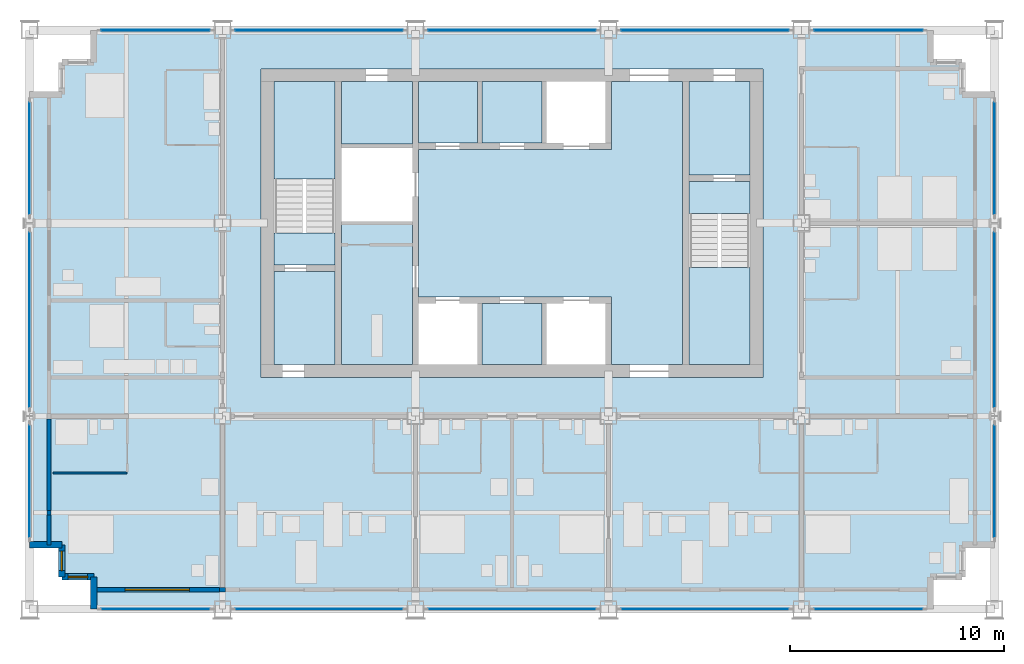
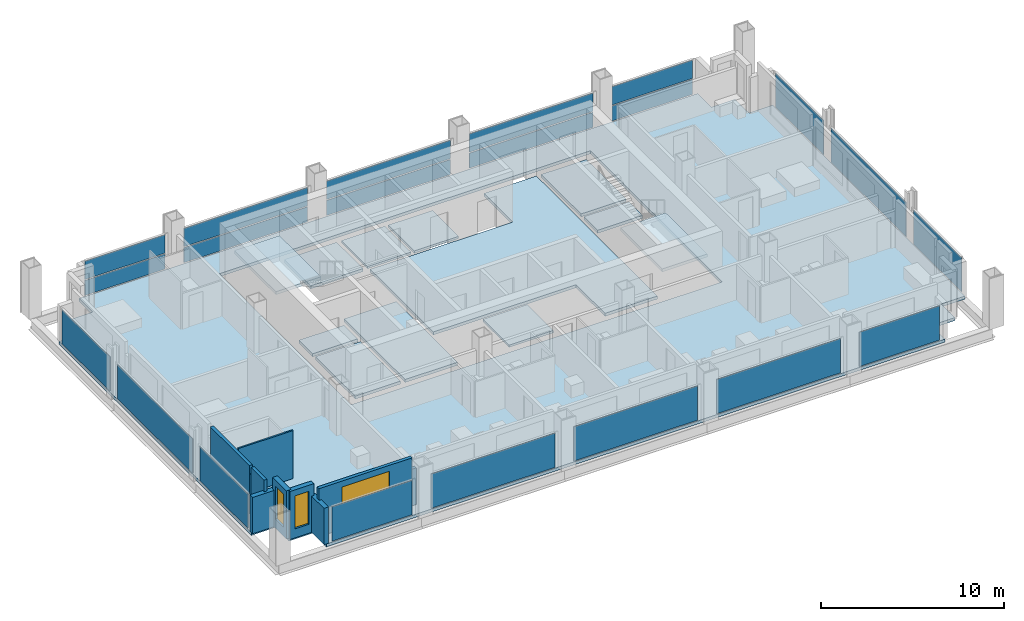
# One storey, part 6 of 13: 21 plates, 13 slabs, 10 walls, 3 windows, 3 openings, 18 elements without a shape of their own.
"""IFC4 building model written with IfcOpenShell, lengths in metres."""

from ifc_helpers import new_model, si_unit, direction, frame, frame_2d, origin, origin_2d, place, context, subcontext, project, spatial, polyline, rectangle, outline, extrude, material, layer, layer_set, type_object, element, fill, aggregate, save


model = new_model("IFC4")

# Units and contexts
model_context = context("Model", 3, precision=1e-05, world=origin(), true_north=direction((0.0, 1.0)))
body_context = subcontext(model_context, "Body", "Model", "MODEL_VIEW")
ifc_project = project(units=[si_unit("LENGTHUNIT", "METRE"), si_unit("AREAUNIT", "SQUARE_METRE"), si_unit("VOLUMEUNIT", "CUBIC_METRE"), si_unit("PLANEANGLEUNIT", "RADIAN"), si_unit("MASSUNIT", "GRAM", prefix="KILO")], contexts=[model_context])

# Site, building, storey
site_placement = place(None, origin())
site = spatial("IfcSite", under=ifc_project, at=site_placement, CompositionType="ELEMENT")
building_placement = place(site_placement, origin())
building = spatial("IfcBuilding", under=site, at=building_placement, Name="Loomwork Tower", CompositionType="ELEMENT")
storey_placement = place(building_placement, frame((0.0, 0.0, 214.800048828125)))
storey = spatial("IfcBuildingStorey", under=building, at=storey_placement, Name="L59", CompositionType="ELEMENT", Elevation=214.800048828125)

# Slabs
ifc_material_1 = material(Name="Concrete 5000 psi (34 MPa) on composite metal deck", Category="concrete")
ifc_layer_1 = layer(ifc_material_1, 0.199951171875)
ifc_layer_set_1 = layer_set([ifc_layer_1], Name="Floor slab 200")
slab_type_1 = type_object("IfcSlabType", Name="Floor slab 200", PredefinedType="FLOOR", material=ifc_layer_set_1)
slab_1_placement = place(storey_placement, frame((0.0, 0.0, -0.199951171875)))
element("IfcSlab", 1, at=slab_1_placement, inside=storey, type_object=slab_type_1, Name="Floor slab L59", PredefinedType="FLOOR", context=body_context, shape_type="SweptSolid", body=[
    extrude(outline(polyline([(3.0, 1.5), (1.5, 1.5), (1.5, 3.0), (0.0, 3.0), (0.0, 24.0), (1.5, 24.0), (1.5, 25.5), (3.0, 25.5), (3.0, 27.0), (42.0, 27.0), (42.0, 25.5), (43.5, 25.5), (43.5, 24.0), (45.0, 24.0), (45.0, 3.0), (43.5, 3.0), (43.5, 1.5), (42.0, 1.5), (42.0, 0.0), (3.0, 0.0), (3.0, 1.5)]), holes=[polyline([(10.800048828125, 11.39990234375), (10.800048828125, 11.39990234375), (10.800048828125, 10.800048828125), (34.199951171875, 10.800048828125), (34.199951171875, 11.39990234375), (34.199951171875, 11.39990234375), (34.199951171875, 24.60009765625), (34.199951171875, 25.199951171875), (10.800048828125, 25.199951171875), (10.800048828125, 24.60009765625), (10.800048828125, 11.39990234375)])]), origin(), (0.0, 0.0, 1.0), 0.199951171875),
])
slab_2_placement = place(storey_placement, frame((0.0, 0.0, -0.199951171875)))
element("IfcSlab", 2, at=slab_2_placement, inside=storey, type_object=slab_type_1, Name="Floor slab L59", PredefinedType="FLOOR", context=body_context, shape_type="SweptSolid", body=[
    extrude(outline(polyline([(30.449951171875, 24.60009765625), (30.449951171875, 11.39990234375), (27.14990234375, 11.39990234375), (27.14990234375, 14.25), (27.14990234375, 14.550048828125), (18.14990234375, 14.550048828125), (18.14990234375, 21.449951171875), (27.14990234375, 21.449951171875), (27.14990234375, 21.75), (27.14990234375, 24.60009765625), (30.449951171875, 24.60009765625)])), origin(), (0.0, 0.0, 1.0), 0.199951171875),
])
slab_3_placement = place(storey_placement, frame((0.0, 0.0, -0.199951171875)))
element("IfcSlab", 3, at=slab_3_placement, inside=storey, type_object=slab_type_1, Name="Floor slab L59", PredefinedType="FLOOR", context=body_context, shape_type="SweptSolid", body=[
    extrude(outline(polyline([(14.550048828125, 11.39990234375), (14.550048828125, 18.074951171875), (17.85009765625, 18.074951171875), (17.85009765625, 11.39990234375), (14.550048828125, 11.39990234375)])), origin(), (0.0, 0.0, 1.0), 0.199951171875),
])
slab_4_placement = place(storey_placement, frame((0.0, 0.0, -0.199951171875)))
element("IfcSlab", 4, at=slab_4_placement, inside=storey, type_object=slab_type_1, Name="Floor slab L59", PredefinedType="FLOOR", context=body_context, shape_type="SweptSolid", body=[
    extrude(outline(polyline([(33.60009765625, 20.25), (30.75, 20.25), (30.75, 24.60009765625), (33.60009765625, 24.60009765625), (33.60009765625, 20.25)])), origin(), (0.0, 0.0, 1.0), 0.199951171875),
])
slab_5_placement = place(storey_placement, frame((0.0, 0.0, -0.199951171875)))
element("IfcSlab", 5, at=slab_5_placement, inside=storey, type_object=slab_type_1, Name="Floor slab L59", PredefinedType="FLOOR", context=body_context, shape_type="SweptSolid", body=[
    extrude(outline(polyline([(14.25, 15.75), (14.25, 11.39990234375), (11.39990234375, 11.39990234375), (11.39990234375, 15.75), (14.25, 15.75)])), origin(), (0.0, 0.0, 1.0), 0.199951171875),
])
slab_6_placement = place(storey_placement, frame((0.0, 0.0, -0.199951171875)))
element("IfcSlab", 6, at=slab_6_placement, inside=storey, type_object=slab_type_1, Name="Floor slab L59", PredefinedType="FLOOR", context=body_context, shape_type="SweptSolid", body=[
    extrude(outline(polyline([(14.550048828125, 21.699951171875), (14.550048828125, 24.60009765625), (17.85009765625, 24.60009765625), (17.85009765625, 21.699951171875), (14.550048828125, 21.699951171875)])), origin(), (0.0, 0.0, 1.0), 0.199951171875),
])

# Curtain wall, plate
ifc_material_2 = material(Name="Aluminium curtain wall frame", Category="aluminium")
curtain_wall_type_1 = type_object("IfcCurtainWallType", Name="Outer skin glazing hotel", PredefinedType="NOTDEFINED", material=ifc_material_2)
curtain_wall_1_placement = place(storey_placement, origin())
curtain_wall_1 = element("IfcCurtainWall", 7, at=curtain_wall_1_placement, inside=storey, type_object=curtain_wall_type_1, Name="Outer skin glazing hotel cw/S-0", PredefinedType="NOTDEFINED")
ifc_material_3 = material(Name="Clear laminated glass", Category="glass")
ifc_layer_2 = layer(ifc_material_3, 0.02392578125)
ifc_layer_set_2 = layer_set([ifc_layer_2], Name="Outer skin glazing hotel panel")
plate_type_1 = type_object("IfcPlateType", Name="Outer skin glazing hotel panel", PredefinedType="CURTAIN_PANEL", material=ifc_layer_set_2)
plate_1_placement = place(storey_placement, frame((5.875, 0.0, 0.06494140625), z_axis=(0.0, 0.0, 1.0), x_axis=(1.0, 0.0, 0.0)))
plate_1 = element("IfcPlate", 8, at=plate_1_placement, type_object=plate_type_1, Name="CW1 panel 1.1", PredefinedType="CURTAIN_PANEL", context=body_context, shape_type="SweptSolid", body=[
    extrude(rectangle(XDim=5.050048828125, YDim=0.02392578125, at=origin_2d()), origin(), (0.0, 0.0, 1.0), 2.290283203125),
])
aggregate(curtain_wall_1, [plate_1])

curtain_wall_2_placement = place(storey_placement, origin())
curtain_wall_2 = element("IfcCurtainWall", 9, at=curtain_wall_2_placement, inside=storey, type_object=curtain_wall_type_1, Name="Outer skin glazing hotel cw/S-9", PredefinedType="NOTDEFINED")
plate_2_placement = place(storey_placement, frame((13.5, 0.0, 0.06494140625), z_axis=(0.0, 0.0, 1.0), x_axis=(1.0, 0.0, 0.0)))
plate_2 = element("IfcPlate", 10, at=plate_2_placement, type_object=plate_type_1, Name="CW1 panel 1.1", PredefinedType="CURTAIN_PANEL", context=body_context, shape_type="SweptSolid", body=[
    extrude(rectangle(XDim=7.800048828125, YDim=0.02392578125, at=origin_2d()), origin(), (0.0, 0.0, 1.0), 2.290283203125),
])
aggregate(curtain_wall_2, [plate_2])

curtain_wall_3_placement = place(storey_placement, origin())
curtain_wall_3 = element("IfcCurtainWall", 11, at=curtain_wall_3_placement, inside=storey, type_object=curtain_wall_type_1, Name="Outer skin glazing hotel cw/S-18", PredefinedType="NOTDEFINED")
plate_3_placement = place(storey_placement, frame((22.5, 0.0, 0.06494140625), z_axis=(0.0, 0.0, 1.0), x_axis=(1.0, 0.0, 0.0)))
plate_3 = element("IfcPlate", 12, at=plate_3_placement, type_object=plate_type_1, Name="CW1 panel 1.1", PredefinedType="CURTAIN_PANEL", context=body_context, shape_type="SweptSolid", body=[
    extrude(rectangle(XDim=7.800048828125, YDim=0.02392578125, at=origin_2d()), origin(), (0.0, 0.0, 1.0), 2.290283203125),
])
aggregate(curtain_wall_3, [plate_3])

curtain_wall_4_placement = place(storey_placement, origin())
curtain_wall_4 = element("IfcCurtainWall", 13, at=curtain_wall_4_placement, inside=storey, type_object=curtain_wall_type_1, Name="Outer skin glazing hotel cw/S-27", PredefinedType="NOTDEFINED")
plate_4_placement = place(storey_placement, frame((31.5, 0.0, 0.06494140625), z_axis=(0.0, 0.0, 1.0), x_axis=(1.0, 0.0, 0.0)))
plate_4 = element("IfcPlate", 14, at=plate_4_placement, type_object=plate_type_1, Name="CW1 panel 1.1", PredefinedType="CURTAIN_PANEL", context=body_context, shape_type="SweptSolid", body=[
    extrude(rectangle(XDim=7.800048828125, YDim=0.02392578125, at=origin_2d()), origin(), (0.0, 0.0, 1.0), 2.290283203125),
])
aggregate(curtain_wall_4, [plate_4])

curtain_wall_5_placement = place(storey_placement, origin())
curtain_wall_5 = element("IfcCurtainWall", 15, at=curtain_wall_5_placement, inside=storey, type_object=curtain_wall_type_1, Name="Outer skin glazing hotel cw/S-36", PredefinedType="NOTDEFINED")
plate_5_placement = place(storey_placement, frame((39.125, 0.0, 0.06494140625), z_axis=(0.0, 0.0, 1.0), x_axis=(1.0, 0.0, 0.0)))
plate_5 = element("IfcPlate", 16, at=plate_5_placement, type_object=plate_type_1, Name="CW1 panel 1.1", PredefinedType="CURTAIN_PANEL", context=body_context, shape_type="SweptSolid", body=[
    extrude(rectangle(XDim=5.050048828125, YDim=0.02392578125, at=origin_2d()), origin(), (0.0, 0.0, 1.0), 2.290283203125),
])
aggregate(curtain_wall_5, [plate_5])

curtain_wall_6_placement = place(storey_placement, origin())
curtain_wall_6 = element("IfcCurtainWall", 17, at=curtain_wall_6_placement, inside=storey, type_object=curtain_wall_type_1, Name="Outer skin glazing hotel cw/W-0", PredefinedType="NOTDEFINED")
plate_6_placement = place(storey_placement, frame((0.0, 5.96826171875, 0.06494140625), z_axis=(0.0, 0.0, 1.0), x_axis=(0.0, -1.0, 0.0)))
plate_6 = element("IfcPlate", 18, at=plate_6_placement, type_object=plate_type_1, Name="CW1 panel 1.1", PredefinedType="CURTAIN_PANEL", context=body_context, shape_type="SweptSolid", body=[
    extrude(rectangle(XDim=5.236572265625, YDim=0.02392578125, at=origin_2d()), origin(), (0.0, 0.0, 1.0), 2.290283203125),
])
aggregate(curtain_wall_6, [plate_6])

curtain_wall_7_placement = place(storey_placement, origin())
curtain_wall_7 = element("IfcCurtainWall", 19, at=curtain_wall_7_placement, inside=storey, type_object=curtain_wall_type_1, Name="Outer skin glazing hotel cw/W-9", PredefinedType="NOTDEFINED")
plate_7_placement = place(storey_placement, frame((0.0, 13.5, 0.06494140625), z_axis=(0.0, 0.0, 1.0), x_axis=(0.0, -1.0, 0.0)))
plate_7 = element("IfcPlate", 20, at=plate_7_placement, type_object=plate_type_1, Name="CW1 panel 1.1", PredefinedType="CURTAIN_PANEL", context=body_context, shape_type="SweptSolid", body=[
    extrude(rectangle(XDim=8.173095703125, YDim=0.02392578125, at=origin_2d()), origin(), (0.0, 0.0, 1.0), 2.290283203125),
])
aggregate(curtain_wall_7, [plate_7])

curtain_wall_8_placement = place(storey_placement, origin())
curtain_wall_8 = element("IfcCurtainWall", 21, at=curtain_wall_8_placement, inside=storey, type_object=curtain_wall_type_1, Name="Outer skin glazing hotel cw/W-18", PredefinedType="NOTDEFINED")
plate_8_placement = place(storey_placement, frame((0.0, 21.03173828125, 0.06494140625), z_axis=(0.0, 0.0, 1.0), x_axis=(0.0, -1.0, 0.0)))
plate_8 = element("IfcPlate", 22, at=plate_8_placement, type_object=plate_type_1, Name="CW1 panel 1.1", PredefinedType="CURTAIN_PANEL", context=body_context, shape_type="SweptSolid", body=[
    extrude(rectangle(XDim=5.236572265625, YDim=0.02392578125, at=origin_2d()), origin(), (0.0, 0.0, 1.0), 2.290283203125),
])
aggregate(curtain_wall_8, [plate_8])

curtain_wall_9_placement = place(storey_placement, origin())
curtain_wall_9 = element("IfcCurtainWall", 23, at=curtain_wall_9_placement, inside=storey, type_object=curtain_wall_type_1, Name="Outer skin glazing hotel cw/E-0", PredefinedType="NOTDEFINED")
plate_9_placement = place(storey_placement, frame((45.0, 5.96826171875, 0.06494140625), z_axis=(0.0, 0.0, 1.0), x_axis=(0.0, 1.0, 0.0)))
plate_9 = element("IfcPlate", 24, at=plate_9_placement, type_object=plate_type_1, Name="CW1 panel 1.1", PredefinedType="CURTAIN_PANEL", context=body_context, shape_type="SweptSolid", body=[
    extrude(rectangle(XDim=5.236572265625, YDim=0.02392578125, at=origin_2d()), origin(), (0.0, 0.0, 1.0), 2.290283203125),
])
aggregate(curtain_wall_9, [plate_9])

curtain_wall_10_placement = place(storey_placement, origin())
curtain_wall_10 = element("IfcCurtainWall", 25, at=curtain_wall_10_placement, inside=storey, type_object=curtain_wall_type_1, Name="Outer skin glazing hotel cw/E-9", PredefinedType="NOTDEFINED")
plate_10_placement = place(storey_placement, frame((45.0, 13.5, 0.06494140625), z_axis=(0.0, 0.0, 1.0), x_axis=(0.0, 1.0, 0.0)))
plate_10 = element("IfcPlate", 26, at=plate_10_placement, type_object=plate_type_1, Name="CW1 panel 1.1", PredefinedType="CURTAIN_PANEL", context=body_context, shape_type="SweptSolid", body=[
    extrude(rectangle(XDim=8.173095703125, YDim=0.02392578125, at=origin_2d()), origin(), (0.0, 0.0, 1.0), 2.290283203125),
])
aggregate(curtain_wall_10, [plate_10])

curtain_wall_11_placement = place(storey_placement, origin())
curtain_wall_11 = element("IfcCurtainWall", 27, at=curtain_wall_11_placement, inside=storey, type_object=curtain_wall_type_1, Name="Outer skin glazing hotel cw/E-18", PredefinedType="NOTDEFINED")
plate_11_placement = place(storey_placement, frame((45.0, 21.03173828125, 0.06494140625), z_axis=(0.0, 0.0, 1.0), x_axis=(0.0, 1.0, 0.0)))
plate_11 = element("IfcPlate", 28, at=plate_11_placement, type_object=plate_type_1, Name="CW1 panel 1.1", PredefinedType="CURTAIN_PANEL", context=body_context, shape_type="SweptSolid", body=[
    extrude(rectangle(XDim=5.236572265625, YDim=0.02392578125, at=origin_2d()), origin(), (0.0, 0.0, 1.0), 2.290283203125),
])
aggregate(curtain_wall_11, [plate_11])

# Slabs
ifc_material_4 = material(Name="Concrete 5000 psi (34 MPa) on composite metal deck", Category="concrete")
ifc_layer_3 = layer(ifc_material_4, 0.14990234375)
ifc_layer_set_3 = layer_set([ifc_layer_3], Name="Shaft infill floor 150")
slab_type_2 = type_object("IfcSlabType", Name="Shaft infill floor 150", PredefinedType="FLOOR", material=ifc_layer_set_3)
slab_7_placement = place(storey_placement, frame((0.0, 0.0, -0.150146484375)))
element("IfcSlab", 29, at=slab_7_placement, inside=storey, type_object=slab_type_2, Name="Shaft infill floor LS1 L59", PredefinedType="FLOOR", context=body_context, shape_type="SweptSolid", body=[
    extrude(outline(polyline([(18.14990234375, 21.75), (20.89990234375, 21.75), (20.89990234375, 24.60009765625), (18.14990234375, 24.60009765625), (18.14990234375, 21.75)])), origin(), (0.0, 0.0, 1.0), 0.150146484375),
])
slab_8_placement = place(storey_placement, frame((0.0, 0.0, -0.150146484375)))
element("IfcSlab", 30, at=slab_8_placement, inside=storey, type_object=slab_type_2, Name="Shaft infill floor LS2 L59", PredefinedType="FLOOR", context=body_context, shape_type="SweptSolid", body=[
    extrude(outline(polyline([(21.10009765625, 21.75), (23.89990234375, 21.75), (23.89990234375, 24.60009765625), (21.10009765625, 24.60009765625), (21.10009765625, 21.75)])), origin(), (0.0, 0.0, 1.0), 0.150146484375),
])
slab_9_placement = place(storey_placement, frame((0.0, 0.0, -0.150146484375)))
element("IfcSlab", 31, at=slab_9_placement, inside=storey, type_object=slab_type_2, Name="Shaft infill floor S2 L59", PredefinedType="FLOOR", context=body_context, shape_type="SweptSolid", body=[
    extrude(outline(polyline([(21.10009765625, 11.39990234375), (23.89990234375, 11.39990234375), (23.89990234375, 14.25), (21.10009765625, 14.25), (21.10009765625, 11.39990234375)])), origin(), (0.0, 0.0, 1.0), 0.150146484375),
])

# Curtain wall, plates
ifc_material_5 = material(Name="Aluminium curtain wall frame", Category="aluminium")
curtain_wall_type_2 = type_object("IfcCurtainWallType", Name="Single skin glazing corridor", PredefinedType="NOTDEFINED", material=ifc_material_5)
curtain_wall_12_placement = place(storey_placement, origin())
curtain_wall_12 = element("IfcCurtainWall", 32, at=curtain_wall_12_placement, inside=storey, type_object=curtain_wall_type_2, Name="Single skin glazing corridor cw/N-0", PredefinedType="NOTDEFINED")
ifc_material_6 = material(Name="Clear insulated glass", Category="glass")
ifc_layer_4 = layer(ifc_material_6, 0.031982421875)
ifc_layer_set_4 = layer_set([ifc_layer_4], Name="Single skin glazing corridor panel")
plate_type_2 = type_object("IfcPlateType", Name="Single skin glazing corridor panel", PredefinedType="CURTAIN_PANEL", material=ifc_layer_set_4)
plate_12_placement = place(storey_placement, frame((5.875, 27.0, 0.06494140625), z_axis=(0.0, 0.0, 1.0), x_axis=(-1.0, 0.0, 0.0)))
plate_12 = element("IfcPlate", 33, at=plate_12_placement, type_object=plate_type_2, Name="CW3 panel 1.1", PredefinedType="CURTAIN_PANEL", context=body_context, shape_type="SweptSolid", body=[
    extrude(rectangle(XDim=5.050048828125, YDim=0.031982421875, at=origin_2d()), origin(), (0.0, 0.0, 1.0), 1.00244140625),
])
plate_13_placement = place(storey_placement, frame((5.875, 27.0, 1.132568359375), z_axis=(0.0, 0.0, 1.0), x_axis=(-1.0, 0.0, 0.0)))
plate_13 = element("IfcPlate", 34, at=plate_13_placement, type_object=plate_type_2, Name="CW3 panel 1.2", PredefinedType="CURTAIN_PANEL", context=body_context, shape_type="SweptSolid", body=[
    extrude(rectangle(XDim=5.050048828125, YDim=0.031982421875, at=origin_2d()), origin(), (0.0, 0.0, 1.0), 1.22265625),
])
aggregate(curtain_wall_12, [plate_12, plate_13])

curtain_wall_13_placement = place(storey_placement, origin())
curtain_wall_13 = element("IfcCurtainWall", 35, at=curtain_wall_13_placement, inside=storey, type_object=curtain_wall_type_2, Name="Single skin glazing corridor cw/N-9", PredefinedType="NOTDEFINED")
plate_14_placement = place(storey_placement, frame((13.5, 27.0, 0.06494140625), z_axis=(0.0, 0.0, 1.0), x_axis=(-1.0, 0.0, 0.0)))
plate_14 = element("IfcPlate", 36, at=plate_14_placement, type_object=plate_type_2, Name="CW3 panel 1.1", PredefinedType="CURTAIN_PANEL", context=body_context, shape_type="SweptSolid", body=[
    extrude(rectangle(XDim=7.800048828125, YDim=0.031982421875, at=origin_2d()), origin(), (0.0, 0.0, 1.0), 1.00244140625),
])
plate_15_placement = place(storey_placement, frame((13.5, 27.0, 1.132568359375), z_axis=(0.0, 0.0, 1.0), x_axis=(-1.0, 0.0, 0.0)))
plate_15 = element("IfcPlate", 37, at=plate_15_placement, type_object=plate_type_2, Name="CW3 panel 1.2", PredefinedType="CURTAIN_PANEL", context=body_context, shape_type="SweptSolid", body=[
    extrude(rectangle(XDim=7.800048828125, YDim=0.031982421875, at=origin_2d()), origin(), (0.0, 0.0, 1.0), 1.22265625),
])
aggregate(curtain_wall_13, [plate_14, plate_15])

curtain_wall_14_placement = place(storey_placement, origin())
curtain_wall_14 = element("IfcCurtainWall", 38, at=curtain_wall_14_placement, inside=storey, type_object=curtain_wall_type_2, Name="Single skin glazing corridor cw/N-18", PredefinedType="NOTDEFINED")
plate_16_placement = place(storey_placement, frame((22.5, 27.0, 0.06494140625), z_axis=(0.0, 0.0, 1.0), x_axis=(-1.0, 0.0, 0.0)))
plate_16 = element("IfcPlate", 39, at=plate_16_placement, type_object=plate_type_2, Name="CW3 panel 1.1", PredefinedType="CURTAIN_PANEL", context=body_context, shape_type="SweptSolid", body=[
    extrude(rectangle(XDim=7.800048828125, YDim=0.031982421875, at=origin_2d()), origin(), (0.0, 0.0, 1.0), 1.00244140625),
])
plate_17_placement = place(storey_placement, frame((22.5, 27.0, 1.132568359375), z_axis=(0.0, 0.0, 1.0), x_axis=(-1.0, 0.0, 0.0)))
plate_17 = element("IfcPlate", 40, at=plate_17_placement, type_object=plate_type_2, Name="CW3 panel 1.2", PredefinedType="CURTAIN_PANEL", context=body_context, shape_type="SweptSolid", body=[
    extrude(rectangle(XDim=7.800048828125, YDim=0.031982421875, at=origin_2d()), origin(), (0.0, 0.0, 1.0), 1.22265625),
])
aggregate(curtain_wall_14, [plate_16, plate_17])

curtain_wall_15_placement = place(storey_placement, origin())
curtain_wall_15 = element("IfcCurtainWall", 41, at=curtain_wall_15_placement, inside=storey, type_object=curtain_wall_type_2, Name="Single skin glazing corridor cw/N-27", PredefinedType="NOTDEFINED")
plate_18_placement = place(storey_placement, frame((31.5, 27.0, 0.06494140625), z_axis=(0.0, 0.0, 1.0), x_axis=(-1.0, 0.0, 0.0)))
plate_18 = element("IfcPlate", 42, at=plate_18_placement, type_object=plate_type_2, Name="CW3 panel 1.1", PredefinedType="CURTAIN_PANEL", context=body_context, shape_type="SweptSolid", body=[
    extrude(rectangle(XDim=7.800048828125, YDim=0.031982421875, at=origin_2d()), origin(), (0.0, 0.0, 1.0), 1.00244140625),
])
plate_19_placement = place(storey_placement, frame((31.5, 27.0, 1.132568359375), z_axis=(0.0, 0.0, 1.0), x_axis=(-1.0, 0.0, 0.0)))
plate_19 = element("IfcPlate", 43, at=plate_19_placement, type_object=plate_type_2, Name="CW3 panel 1.2", PredefinedType="CURTAIN_PANEL", context=body_context, shape_type="SweptSolid", body=[
    extrude(rectangle(XDim=7.800048828125, YDim=0.031982421875, at=origin_2d()), origin(), (0.0, 0.0, 1.0), 1.22265625),
])
aggregate(curtain_wall_15, [plate_18, plate_19])

curtain_wall_16_placement = place(storey_placement, origin())
curtain_wall_16 = element("IfcCurtainWall", 44, at=curtain_wall_16_placement, inside=storey, type_object=curtain_wall_type_2, Name="Single skin glazing corridor cw/N-36", PredefinedType="NOTDEFINED")
plate_20_placement = place(storey_placement, frame((39.125, 27.0, 0.06494140625), z_axis=(0.0, 0.0, 1.0), x_axis=(-1.0, 0.0, 0.0)))
plate_20 = element("IfcPlate", 45, at=plate_20_placement, type_object=plate_type_2, Name="CW3 panel 1.1", PredefinedType="CURTAIN_PANEL", context=body_context, shape_type="SweptSolid", body=[
    extrude(rectangle(XDim=5.050048828125, YDim=0.031982421875, at=origin_2d()), origin(), (0.0, 0.0, 1.0), 1.00244140625),
])
plate_21_placement = place(storey_placement, frame((39.125, 27.0, 1.132568359375), z_axis=(0.0, 0.0, 1.0), x_axis=(-1.0, 0.0, 0.0)))
plate_21 = element("IfcPlate", 46, at=plate_21_placement, type_object=plate_type_2, Name="CW3 panel 1.2", PredefinedType="CURTAIN_PANEL", context=body_context, shape_type="SweptSolid", body=[
    extrude(rectangle(XDim=5.050048828125, YDim=0.031982421875, at=origin_2d()), origin(), (0.0, 0.0, 1.0), 1.22265625),
])
aggregate(curtain_wall_16, [plate_20, plate_21])

# Stair, slabs
ifc_material_7 = material(Name="Concrete 5000 psi (34 MPa) precast stair", Category="concrete")
stair_type_1 = type_object("IfcStairType", Name="Stair ST-A 20 risers 2850 wide", PredefinedType="HALF_TURN_STAIR", material=ifc_material_7)
stair_1_placement = place(storey_placement, origin())
stair_1 = element("IfcStair", 47, at=stair_1_placement, inside=storey, type_object=stair_type_1, Name="Stair A L59", PredefinedType="HALF_TURN_STAIR")
ifc_material_8 = material(Name="Concrete 5000 psi (34 MPa)", Category="concrete")
ifc_layer_5 = layer(ifc_material_8, 0.199951171875)
ifc_layer_set_5 = layer_set([ifc_layer_5], Name="Stair landing 200")
slab_type_3 = type_object("IfcSlabType", Name="Stair landing 200", PredefinedType="LANDING", material=ifc_layer_set_5)
slab_10_placement = place(storey_placement, frame((0.0, 0.0, -0.199951171875)))
slab_10 = element("IfcSlab", 48, at=slab_10_placement, type_object=slab_type_3, Name="ST-A landing 1", PredefinedType="LANDING", context=body_context, shape_type="SweptSolid", body=[
    extrude(outline(polyline([(11.39990234375, 16.050048828125), (14.25, 16.050048828125), (14.25, 17.550048828125), (11.39990234375, 17.550048828125), (11.39990234375, 16.050048828125)])), origin(), (0.0, 0.0, 1.0), 0.199951171875),
])
slab_11_placement = place(storey_placement, frame((0.0, 0.0, 1.5)))
slab_11 = element("IfcSlab", 49, at=slab_11_placement, type_object=slab_type_3, Name="ST-A landing 2", PredefinedType="LANDING", context=body_context, shape_type="SweptSolid", body=[
    extrude(outline(polyline([(11.39990234375, 20.070068359375), (14.25, 20.070068359375), (14.25, 24.60009765625), (11.39990234375, 24.60009765625), (11.39990234375, 20.070068359375)])), origin(), (0.0, 0.0, 1.0), 0.199951171875),
])
aggregate(stair_1, [slab_10, slab_11])

ifc_material_9 = material(Name="Concrete 5000 psi (34 MPa) precast stair", Category="concrete")
stair_type_2 = type_object("IfcStairType", Name="Stair ST-B 20 risers 2850 wide", PredefinedType="HALF_TURN_STAIR", material=ifc_material_9)
stair_2_placement = place(storey_placement, origin())
stair_2 = element("IfcStair", 50, at=stair_2_placement, inside=storey, type_object=stair_type_2, Name="Stair B L59", PredefinedType="HALF_TURN_STAIR")
slab_12_placement = place(storey_placement, frame((0.0, 0.0, -0.199951171875)))
slab_12 = element("IfcSlab", 51, at=slab_12_placement, type_object=slab_type_3, Name="ST-B landing 1", PredefinedType="LANDING", context=body_context, shape_type="SweptSolid", body=[
    extrude(outline(polyline([(30.75, 18.449951171875), (33.60009765625, 18.449951171875), (33.60009765625, 19.949951171875), (30.75, 19.949951171875), (30.75, 18.449951171875)])), origin(), (0.0, 0.0, 1.0), 0.199951171875),
])
slab_13_placement = place(storey_placement, frame((0.0, 0.0, 1.5)))
slab_13 = element("IfcSlab", 52, at=slab_13_placement, type_object=slab_type_3, Name="ST-B landing 2", PredefinedType="LANDING", context=body_context, shape_type="SweptSolid", body=[
    extrude(outline(polyline([(30.75, 11.39990234375), (33.60009765625, 11.39990234375), (33.60009765625, 15.929931640625), (30.75, 15.929931640625), (30.75, 11.39990234375)])), origin(), (0.0, 0.0, 1.0), 0.199951171875),
])
aggregate(stair_2, [slab_12, slab_13])

# Wall
ifc_material_10 = material(Name="Cement board on steel studs", Category="steel")
ifc_layer_6 = layer(ifc_material_10, 0.10009765625)
ifc_layer_set_6 = layer_set([ifc_layer_6], Name="En-suite partition 100")
wall_type_1 = type_object("IfcWallType", Name="En-suite partition 100", PredefinedType="PARTITIONING", material=ifc_layer_set_6)
wall_1_placement = place(storey_placement, frame((1.10009765625, 6.35009765625, 0.0), z_axis=(0.0, 0.0, 1.0), x_axis=(1.0, 0.0, 0.0)))
element("IfcWall", 53, at=wall_1_placement, inside=storey, type_object=wall_type_1, Name="En-suite wall L59 room 1", PredefinedType="PARTITIONING", context=body_context, shape_type="SweptSolid", body=[
    extrude(rectangle(XDim=3.449951171875, YDim=0.10009765625, at=frame_2d((1.72509765625, 0.0))), origin(), (0.0, 0.0, 1.0), 3.199951171875),
])

# Wall, opening, window
ifc_material_11 = material(Name="Insulated steel stud wall with gypsum lining", Category="steel")
ifc_layer_7 = layer(ifc_material_11, 0.199951171875)
ifc_layer_set_7 = layer_set([ifc_layer_7], Name="Inner skin wall 200")
wall_type_2 = type_object("IfcWallType", Name="Inner skin wall 200", PredefinedType="SOLIDWALL", material=ifc_layer_set_7)
wall_2_placement = place(storey_placement, frame((3.0, 0.89990234375, 0.0), z_axis=(0.0, 0.0, 1.0), x_axis=(1.0, 0.0, 0.0)))
wall_2 = element("IfcWall", 54, at=wall_2_placement, inside=storey, type_object=wall_type_2, Name="Inner skin wall S", PredefinedType="SOLIDWALL", context=body_context, shape_type="SweptSolid", body=[
    extrude(rectangle(XDim=5.86474609375, YDim=0.199951171875, at=frame_2d((2.932373046875, 0.0))), origin(), (0.0, 0.0, 1.0), 3.199951171875),
])
opening_1_placement = place(wall_2_placement, frame((1.449951171875, 0.0, 0.60009765625)))
opening_1 = element("IfcOpeningElement", 55, at=opening_1_placement, cuts=wall_2, Name="Opening CH1", PredefinedType="OPENING", context=body_context, shape_type="SweptSolid", body=[
    extrude(rectangle(XDim=3.0, YDim=2.199951171875, at=frame_2d((1.5, 1.10009765625))), frame((0.0, 0.10986328125, 0.0), z_axis=(0.0, -1.0, 0.0), x_axis=(1.0, 0.0, 0.0)), (0.0, 0.0, 1.0), 0.219970703125),
])
ifc_material_12 = material(Name="Aluminium frame with clear insulated glass", Category="aluminium")
window_type_1 = type_object("IfcWindowType", Name="Chicago window 3000", PartitioningType="TRIPLE_PANEL_VERTICAL", PredefinedType="WINDOW", material=ifc_material_12)
window_1_placement = place(opening_1_placement, origin())
window_1 = element("IfcWindow", 56, at=window_1_placement, inside=storey, type_object=window_type_1, Name="Chicago window L59 bay 1", OverallHeight=2.199951171875, OverallWidth=3.0, PartitioningType="TRIPLE_PANEL_VERTICAL", PredefinedType="WINDOW", context=body_context, shape_type="SweptSolid", body=[
    extrude(rectangle(XDim=3.0, YDim=2.199951171875, at=frame_2d((1.5, 1.10009765625))), frame((0.0, 0.030029296875, 0.0), z_axis=(0.0, -1.0, 0.0), x_axis=(1.0, 0.0, 0.0)), (0.0, 0.0, 1.0), 0.06005859375),
])
fill(opening_1, window_1)

# Walls
wall_3_placement = place(storey_placement, frame((0.89990234375, 3.0, 0.0), z_axis=(0.0, 0.0, 1.0), x_axis=(0.0, 1.0, 0.0)))
element("IfcWall", 57, at=wall_3_placement, inside=storey, type_object=wall_type_2, Name="Inner skin wall W", PredefinedType="SOLIDWALL", context=body_context, shape_type="SweptSolid", body=[
    extrude(rectangle(XDim=1.392578125, YDim=0.199951171875, at=frame_2d((0.6962890625, 0.0))), origin(), (0.0, 0.0, 1.0), 3.199951171875),
])
wall_4_placement = place(storey_placement, frame((8.86474609375, 0.89990234375, 0.0), z_axis=(0.0, 0.0, 1.0), x_axis=(1.0, 0.0, 0.0)))
element("IfcWall", 58, at=wall_4_placement, inside=storey, type_object=wall_type_2, Name="Inner skin wall S bay 2", PredefinedType="SOLIDWALL", context=body_context, shape_type="SweptSolid", body=[
    extrude(rectangle(XDim=0.2705078125, YDim=0.199951171875, at=frame_2d((0.13525390625, 0.0))), origin(), (0.0, 0.0, 1.0), 2.43798828125),
])
wall_5_placement = place(storey_placement, frame((0.89990234375, 4.392578125, 0.0), z_axis=(0.0, 0.0, 1.0), x_axis=(0.0, 1.0, 0.0)))
element("IfcWall", 59, at=wall_5_placement, inside=storey, type_object=wall_type_2, Name="Inner skin wall W bay 2", PredefinedType="SOLIDWALL", context=body_context, shape_type="SweptSolid", body=[
    extrude(rectangle(XDim=0.21484375, YDim=0.199951171875, at=frame_2d((0.107421875, 0.0))), origin(), (0.0, 0.0, 1.0), 2.660888671875),
])
wall_6_placement = place(storey_placement, frame((0.89990234375, 4.607421875, 0.0), z_axis=(0.0, 0.0, 1.0), x_axis=(0.0, 1.0, 0.0)))
element("IfcWall", 60, at=wall_6_placement, inside=storey, type_object=wall_type_2, Name="Inner skin wall W bay 3", PredefinedType="SOLIDWALL", context=body_context, shape_type="SweptSolid", body=[
    extrude(rectangle(XDim=4.25732421875, YDim=0.199951171875, at=frame_2d((2.128662109375, 0.0))), origin(), (0.0, 0.0, 1.0), 3.199951171875),
])
ifc_material_13 = material(Name="Limestone on concrete masonry", Category="masonry")
ifc_layer_8 = layer(ifc_material_13, 0.300048828125)
ifc_layer_set_8 = layer_set([ifc_layer_8], Name="Limestone corner wall 300")
wall_type_3 = type_object("IfcWallType", Name="Limestone corner wall 300", PredefinedType="SOLIDWALL", material=ifc_layer_set_8)
wall_7_placement = place(storey_placement, frame((0.0, 3.0, 0.0), z_axis=(0.0, 0.0, 1.0), x_axis=(1.0, 0.0, 0.0)))
element("IfcWall", 61, at=wall_7_placement, inside=storey, type_object=wall_type_3, Name="Stone corner wall SW 1", PredefinedType="SOLIDWALL", context=body_context, shape_type="SweptSolid", body=[
    extrude(rectangle(XDim=1.5, YDim=0.300048828125, at=frame_2d((0.75, 0.0))), origin(), (0.0, 0.0, 1.0), 2.419921875),
])

# Wall, opening, window
wall_8_placement = place(storey_placement, frame((1.5, 3.0, 0.0), z_axis=(0.0, 0.0, 1.0), x_axis=(0.0, -1.0, 0.0)))
wall_8 = element("IfcWall", 62, at=wall_8_placement, inside=storey, type_object=wall_type_3, Name="Stone corner wall SW 2", PredefinedType="SOLIDWALL", context=body_context, shape_type="SweptSolid", body=[
    extrude(rectangle(XDim=1.5, YDim=0.300048828125, at=frame_2d((0.75, 0.0))), origin(), (0.0, 0.0, 1.0), 3.199951171875),
])
opening_2_placement = place(wall_8_placement, frame((0.300048828125, 0.0, 0.60009765625)))
opening_2 = element("IfcOpeningElement", 63, at=opening_2_placement, cuts=wall_8, Name="Opening CH2", PredefinedType="OPENING", context=body_context, shape_type="SweptSolid", body=[
    extrude(rectangle(XDim=0.89990234375, YDim=2.199951171875, at=frame_2d((0.449951171875, 1.10009765625))), frame((0.0, 0.159912109375, 0.0), z_axis=(0.0, -1.0, 0.0), x_axis=(1.0, 0.0, 0.0)), (0.0, 0.0, 1.0), 0.320068359375),
])
ifc_material_14 = material(Name="Aluminium frame with clear insulated glass", Category="aluminium")
window_type_2 = type_object("IfcWindowType", Name="Corner window 900", PartitioningType="SINGLE_PANEL", PredefinedType="WINDOW", material=ifc_material_14)
window_2_placement = place(opening_2_placement, origin())
window_2 = element("IfcWindow", 64, at=window_2_placement, inside=storey, type_object=window_type_2, Name="Corner window SW", OverallHeight=2.199951171875, OverallWidth=0.89990234375, PartitioningType="SINGLE_PANEL", PredefinedType="WINDOW", context=body_context, shape_type="SweptSolid", body=[
    extrude(rectangle(XDim=0.89990234375, YDim=2.199951171875, at=frame_2d((0.449951171875, 1.10009765625))), frame((0.0, 0.030029296875, 0.0), z_axis=(0.0, -1.0, 0.0), x_axis=(1.0, 0.0, 0.0)), (0.0, 0.0, 1.0), 0.06005859375),
])
fill(opening_2, window_2)

wall_9_placement = place(storey_placement, frame((1.5, 1.5, 0.0), z_axis=(0.0, 0.0, 1.0), x_axis=(1.0, 0.0, 0.0)))
wall_9 = element("IfcWall", 65, at=wall_9_placement, inside=storey, type_object=wall_type_3, Name="Stone corner wall SW 3", PredefinedType="SOLIDWALL", context=body_context, shape_type="SweptSolid", body=[
    extrude(rectangle(XDim=1.5, YDim=0.300048828125, at=frame_2d((0.75, 0.0))), origin(), (0.0, 0.0, 1.0), 3.199951171875),
])
opening_3_placement = place(wall_9_placement, frame((0.300048828125, 0.0, 0.60009765625)))
opening_3 = element("IfcOpeningElement", 66, at=opening_3_placement, cuts=wall_9, Name="Opening CH2", PredefinedType="OPENING", context=body_context, shape_type="SweptSolid", body=[
    extrude(rectangle(XDim=0.89990234375, YDim=2.199951171875, at=frame_2d((0.449951171875, 1.10009765625))), frame((0.0, 0.159912109375, 0.0), z_axis=(0.0, -1.0, 0.0), x_axis=(1.0, 0.0, 0.0)), (0.0, 0.0, 1.0), 0.320068359375),
])
window_3_placement = place(opening_3_placement, origin())
window_3 = element("IfcWindow", 67, at=window_3_placement, inside=storey, type_object=window_type_2, Name="Corner window SW", OverallHeight=2.199951171875, OverallWidth=0.89990234375, PartitioningType="SINGLE_PANEL", PredefinedType="WINDOW", context=body_context, shape_type="SweptSolid", body=[
    extrude(rectangle(XDim=0.89990234375, YDim=2.199951171875, at=frame_2d((0.449951171875, 1.10009765625))), frame((0.0, 0.030029296875, 0.0), z_axis=(0.0, -1.0, 0.0), x_axis=(1.0, 0.0, 0.0)), (0.0, 0.0, 1.0), 0.06005859375),
])
fill(opening_3, window_3)

# Wall
wall_10_placement = place(storey_placement, frame((3.0, 1.5, 0.0), z_axis=(0.0, 0.0, 1.0), x_axis=(0.0, -1.0, 0.0)))
element("IfcWall", 68, at=wall_10_placement, inside=storey, type_object=wall_type_3, Name="Stone corner wall SW 4", PredefinedType="SOLIDWALL", context=body_context, shape_type="SweptSolid", body=[
    extrude(rectangle(XDim=1.5, YDim=0.300048828125, at=frame_2d((0.75, 0.0))), origin(), (0.0, 0.0, 1.0), 2.419921875),
])

save(model, "model.ifc")
